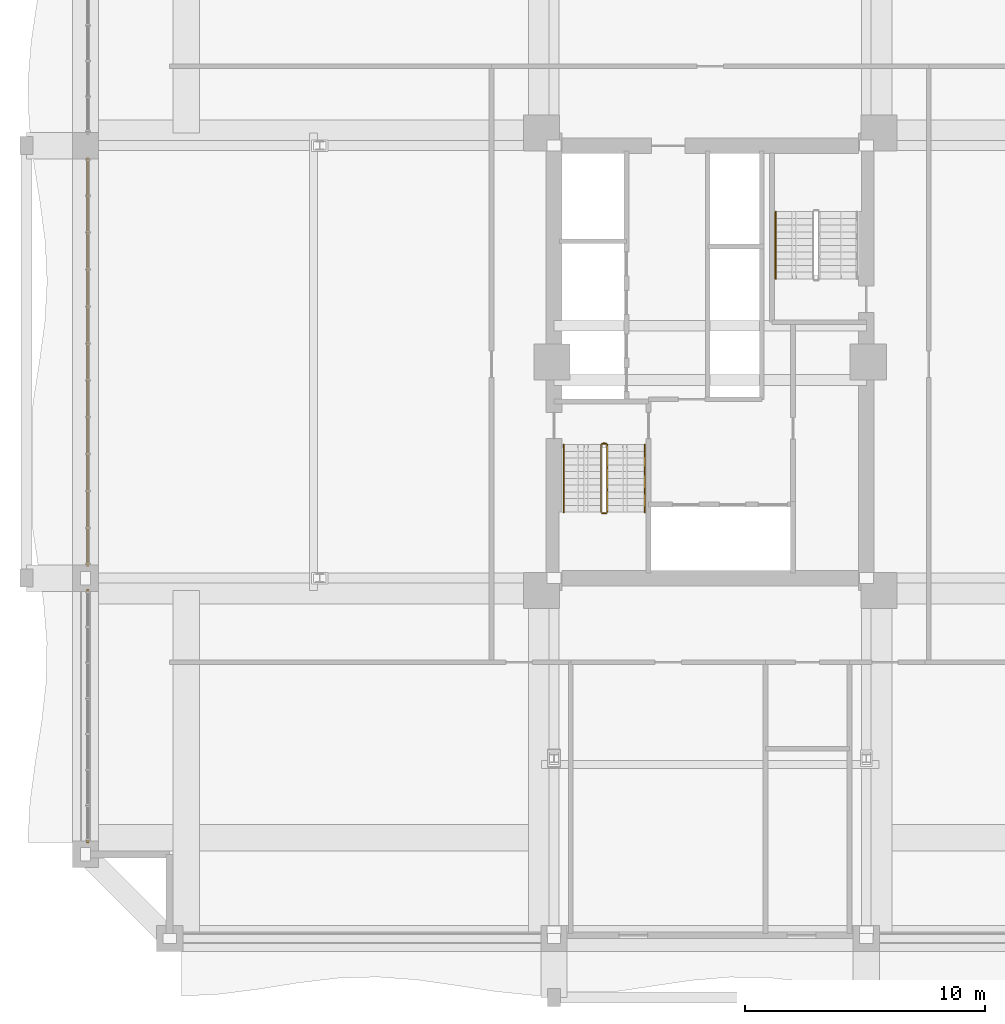
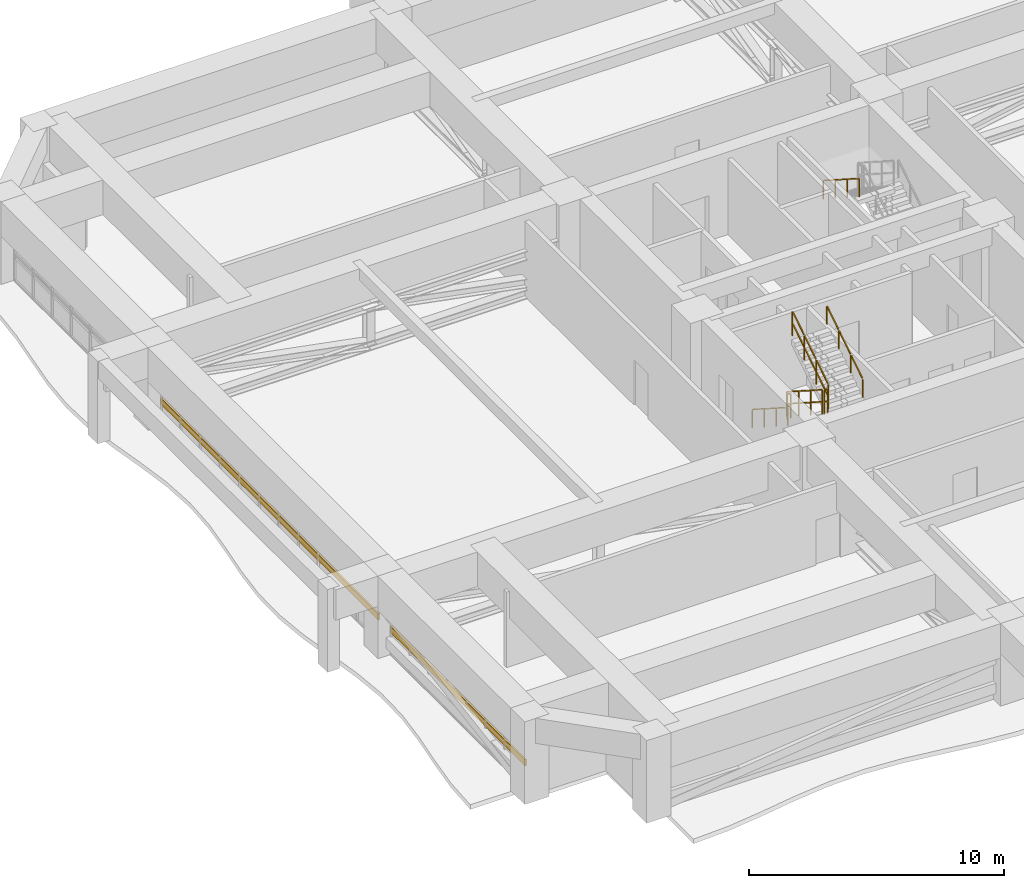
# One storey, part 32 of 35: 7 railings, 2 shading devices.
"""IFC4 building model written with IfcOpenShell, lengths in metres."""

from ifc_helpers import new_model, si_unit, direction, frame, origin, origin_2d, place, context, subcontext, project, spatial, rectangle, extrude, source, transform, mapped, material, material_profile, profile_set, type_object, element, save


model = new_model("IFC4")

# Units and contexts
model_context = context("Model", 3, precision=1e-05, world=origin(), true_north=direction((0.0, 1.0)))
body_context = subcontext(model_context, "Body", "Model", "MODEL_VIEW")
ifc_project = project(units=[si_unit("LENGTHUNIT", "METRE"), si_unit("AREAUNIT", "SQUARE_METRE"), si_unit("VOLUMEUNIT", "CUBIC_METRE"), si_unit("PLANEANGLEUNIT", "RADIAN"), si_unit("MASSUNIT", "GRAM", prefix="KILO")], contexts=[model_context])

# Site, building, storey
site_placement = place(None, origin())
site = spatial("IfcSite", under=ifc_project, at=site_placement, CompositionType="ELEMENT")
building_placement = place(site_placement, origin())
building = spatial("IfcBuilding", under=site, at=building_placement, Name="Saelheon Loggia Tower", CompositionType="ELEMENT")
storey_placement = place(building_placement, frame((0.0, 0.0, 70.39990234375)))
storey = spatial("IfcBuildingStorey", under=building, at=storey_placement, Name="L22", CompositionType="ELEMENT", Elevation=70.39990234375)

# Railings
ifc_material_1 = material(Name="Galvanised Steel S275 Stairwell Guardrail", Category="steel")
railing_type_1 = type_object("IfcRailingType", Name="Guard_StairWell_RL_STG", PredefinedType="GUARDRAIL", material=ifc_material_1)
railing_1_placement = place(storey_placement, frame((33.4599609375, 23.550048828125, 0.1796875)))
element("IfcRailing", 1, at=railing_1_placement, inside=storey, type_object=railing_type_1, Name="L22 ST1 stair guard 1", PredefinedType="GUARDRAIL", context=body_context, shape_type="SweptSolid", body=[
    extrude(rectangle(XDim=0.048095703125, YDim=0.048095703125, at=origin_2d()), frame((0.0, -0.028076171875, 1.19384765625), z_axis=(0.0, -0.841809871826, 0.539774156196), x_axis=(1.0, 0.0, 0.0)), (0.0, 0.0, 1.0), 1.042236328125),
    extrude(rectangle(XDim=0.048095703125, YDim=0.048095703125, at=origin_2d()), frame((0.0, -0.028076171875, 0.617919921875), z_axis=(0.0, -0.841809871826, 0.539774156196), x_axis=(1.0, 0.0, 0.0)), (0.0, 0.0, 1.0), 1.042236328125),
    extrude(rectangle(XDim=0.048095703125, YDim=0.048095703125, at=origin_2d()), frame((0.0, -0.96142578125, 1.792236328125), z_axis=(0.0, -0.841809871826, 0.539774156196), x_axis=(1.0, 0.0, 0.0)), (0.0, 0.0, 1.0), 1.042236328125),
    extrude(rectangle(XDim=0.048095703125, YDim=0.048095703125, at=origin_2d()), frame((0.0, -0.96142578125, 1.21630859375), z_axis=(0.0, -0.841809871826, 0.539774156196), x_axis=(1.0, 0.0, 0.0)), (0.0, 0.0, 1.0), 1.042236328125),
    extrude(rectangle(XDim=0.048095703125, YDim=0.048095703125, at=origin_2d()), frame((0.0, -1.894775390625, 2.390869140625), z_axis=(0.0, -0.841809871826, 0.539774156196), x_axis=(1.0, 0.0, 0.0)), (0.0, 0.0, 1.0), 1.042236328125),
    extrude(rectangle(XDim=0.048095703125, YDim=0.048095703125, at=origin_2d()), frame((0.0, -1.894775390625, 1.81494140625), z_axis=(0.0, -0.841809871826, 0.539774156196), x_axis=(1.0, 0.0, 0.0)), (0.0, 0.0, 1.0), 1.042236328125),
    extrude(rectangle(XDim=0.0419921875, YDim=0.0419921875, at=origin_2d()), origin(), (0.0, 0.0, 1.0), 1.14794921875),
    extrude(rectangle(XDim=0.0419921875, YDim=0.0419921875, at=origin_2d()), frame((0.0, -0.933349609375, 0.598388671875)), (0.0, 0.0, 1.0), 1.14794921875),
    extrude(rectangle(XDim=0.0419921875, YDim=0.0419921875, at=origin_2d()), frame((0.0, -1.86669921875, 1.197021484375)), (0.0, 0.0, 1.0), 1.14794921875),
    extrude(rectangle(XDim=0.0419921875, YDim=0.0419921875, at=origin_2d()), frame((0.0, -2.800048828125, 1.79541015625)), (0.0, 0.0, 1.0), 1.14794921875),
])
railing_2_placement = place(storey_placement, frame((33.510009765625, 20.699951171875, 1.97509765625)))
element("IfcRailing", 2, at=railing_2_placement, inside=storey, type_object=railing_type_1, Name="L22 ST1 stair guard 2", PredefinedType="GUARDRAIL", context=body_context, shape_type="SweptSolid", body=[
    extrude(rectangle(XDim=0.048095703125, YDim=0.048095703125, at=origin_2d()), frame((0.033203125, 0.0, 1.17578125), z_axis=(1.0, 0.0, 0.0), x_axis=(0.0, 1.0, 0.0)), (0.0, 0.0, 1.0), 0.093505859375),
    extrude(rectangle(XDim=0.048095703125, YDim=0.048095703125, at=origin_2d()), frame((0.033203125, 0.0, 0.60009765625), z_axis=(1.0, 0.0, 0.0), x_axis=(0.0, 1.0, 0.0)), (0.0, 0.0, 1.0), 0.093505859375),
    extrude(rectangle(XDim=0.0419921875, YDim=0.0419921875, at=origin_2d()), origin(), (0.0, 0.0, 1.0), 1.14794921875),
    extrude(rectangle(XDim=0.0419921875, YDim=0.0419921875, at=origin_2d()), frame((0.159912109375, 0.0, 0.0)), (0.0, 0.0, 1.0), 1.14794921875),
])
railing_3_placement = place(storey_placement, frame((33.719970703125, 20.75, 2.154541015625)))
element("IfcRailing", 3, at=railing_3_placement, inside=storey, type_object=railing_type_1, Name="L22 ST1 stair guard 3", PredefinedType="GUARDRAIL", context=body_context, shape_type="SweptSolid", body=[
    extrude(rectangle(XDim=0.048095703125, YDim=0.048095703125, at=origin_2d()), frame((0.0, 0.028076171875, 1.19384765625), z_axis=(0.0, 0.841776520102, 0.539826166654), x_axis=(-1.0, 0.0, 0.0)), (0.0, 0.0, 1.0), 1.042236328125),
    extrude(rectangle(XDim=0.048095703125, YDim=0.048095703125, at=origin_2d()), frame((0.0, 0.028076171875, 0.617919921875), z_axis=(0.0, 0.841776520102, 0.539826166654), x_axis=(-1.0, 0.0, 0.0)), (0.0, 0.0, 1.0), 1.042236328125),
    extrude(rectangle(XDim=0.048095703125, YDim=0.048095703125, at=origin_2d()), frame((0.0, 0.96142578125, 1.79248046875), z_axis=(0.0, 0.841776520102, 0.539826166654), x_axis=(-1.0, 0.0, 0.0)), (0.0, 0.0, 1.0), 1.042236328125),
    extrude(rectangle(XDim=0.048095703125, YDim=0.048095703125, at=origin_2d()), frame((0.0, 0.96142578125, 1.216552734375), z_axis=(0.0, 0.841776520102, 0.539826166654), x_axis=(-1.0, 0.0, 0.0)), (0.0, 0.0, 1.0), 1.042236328125),
    extrude(rectangle(XDim=0.048095703125, YDim=0.048095703125, at=origin_2d()), frame((0.0, 1.894775390625, 2.390869140625), z_axis=(0.0, 0.841776520102, 0.539826166654), x_axis=(-1.0, 0.0, 0.0)), (0.0, 0.0, 1.0), 1.042236328125),
    extrude(rectangle(XDim=0.048095703125, YDim=0.048095703125, at=origin_2d()), frame((0.0, 1.894775390625, 1.81494140625), z_axis=(0.0, 0.841776520102, 0.539826166654), x_axis=(-1.0, 0.0, 0.0)), (0.0, 0.0, 1.0), 1.042236328125),
    extrude(rectangle(XDim=0.0419921875, YDim=0.0419921875, at=origin_2d()), origin(), (0.0, 0.0, 1.0), 1.14794921875),
    extrude(rectangle(XDim=0.0419921875, YDim=0.0419921875, at=origin_2d()), frame((0.0, 0.933349609375, 0.5986328125)), (0.0, 0.0, 1.0), 1.14794921875),
    extrude(rectangle(XDim=0.0419921875, YDim=0.0419921875, at=origin_2d()), frame((0.0, 1.86669921875, 1.197021484375)), (0.0, 0.0, 1.0), 1.14794921875),
    extrude(rectangle(XDim=0.0419921875, YDim=0.0419921875, at=origin_2d()), frame((0.0, 2.800048828125, 1.795654296875)), (0.0, 0.0, 1.0), 1.14794921875),
])
railing_4_placement = place(storey_placement, frame((33.510009765625, 23.60009765625, 0.0)))
element("IfcRailing", 4, at=railing_4_placement, inside=storey, type_object=railing_type_1, Name="L22 ST1 stair guard 4", PredefinedType="GUARDRAIL", context=body_context, shape_type="SweptSolid", body=[
    extrude(rectangle(XDim=0.048095703125, YDim=0.048095703125, at=origin_2d()), frame((0.033203125, 0.0, 1.17578125), z_axis=(1.0, 0.0, 0.0), x_axis=(0.0, 1.0, 0.0)), (0.0, 0.0, 1.0), 0.093505859375),
    extrude(rectangle(XDim=0.048095703125, YDim=0.048095703125, at=origin_2d()), frame((0.033203125, 0.0, 0.60009765625), z_axis=(1.0, 0.0, 0.0), x_axis=(0.0, 1.0, 0.0)), (0.0, 0.0, 1.0), 0.093505859375),
    extrude(rectangle(XDim=0.0419921875, YDim=0.0419921875, at=origin_2d()), origin(), (0.0, 0.0, 1.0), 1.14794921875),
    extrude(rectangle(XDim=0.0419921875, YDim=0.0419921875, at=origin_2d()), frame((0.159912109375, 0.0, 0.0)), (0.0, 0.0, 1.0), 1.14794921875),
])
ifc_material_2 = material(Name="Stainless Steel 304 Tubular Handrail", Category="steel")
railing_type_2 = type_object("IfcRailingType", Name="Handrail_Stair_RL_HR1", PredefinedType="HANDRAIL", material=ifc_material_2)
railing_5_placement = place(storey_placement, frame((31.89990234375, 23.550048828125, 0.1796875)))
element("IfcRailing", 5, at=railing_5_placement, inside=storey, type_object=railing_type_2, Name="L22 ST1 stair handrail 1", PredefinedType="HANDRAIL", context=body_context, shape_type="SweptSolid", body=[
    extrude(rectangle(XDim=0.048095703125, YDim=0.048095703125, at=origin_2d()), frame((0.0, -0.028076171875, 0.893798828125), z_axis=(0.0, -0.841809871826, 0.539774156196), x_axis=(1.0, 0.0, 0.0)), (0.0, 0.0, 1.0), 1.042236328125),
    extrude(rectangle(XDim=0.048095703125, YDim=0.048095703125, at=origin_2d()), frame((0.0, -0.96142578125, 1.4921875), z_axis=(0.0, -0.841809871826, 0.539774156196), x_axis=(1.0, 0.0, 0.0)), (0.0, 0.0, 1.0), 1.042236328125),
    extrude(rectangle(XDim=0.048095703125, YDim=0.048095703125, at=origin_2d()), frame((0.0, -1.894775390625, 2.0908203125), z_axis=(0.0, -0.841809871826, 0.539774156196), x_axis=(1.0, 0.0, 0.0)), (0.0, 0.0, 1.0), 1.042236328125),
    extrude(rectangle(XDim=0.0419921875, YDim=0.0419921875, at=origin_2d()), origin(), (0.0, 0.0, 1.0), 0.847900390625),
    extrude(rectangle(XDim=0.0419921875, YDim=0.0419921875, at=origin_2d()), frame((0.0, -0.933349609375, 0.598388671875)), (0.0, 0.0, 1.0), 0.847900390625),
    extrude(rectangle(XDim=0.0419921875, YDim=0.0419921875, at=origin_2d()), frame((0.0, -1.86669921875, 1.197021484375)), (0.0, 0.0, 1.0), 0.847900390625),
    extrude(rectangle(XDim=0.0419921875, YDim=0.0419921875, at=origin_2d()), frame((0.0, -2.800048828125, 1.79541015625)), (0.0, 0.0, 1.0), 0.847900390625),
])
railing_6_placement = place(storey_placement, frame((35.280029296875, 20.75, 2.154541015625)))
element("IfcRailing", 6, at=railing_6_placement, inside=storey, type_object=railing_type_2, Name="L22 ST1 stair handrail 2", PredefinedType="HANDRAIL", context=body_context, shape_type="SweptSolid", body=[
    extrude(rectangle(XDim=0.048095703125, YDim=0.048095703125, at=origin_2d()), frame((0.0, 0.028076171875, 0.893798828125), z_axis=(0.0, 0.841776520102, 0.539826166654), x_axis=(-1.0, 0.0, 0.0)), (0.0, 0.0, 1.0), 1.042236328125),
    extrude(rectangle(XDim=0.048095703125, YDim=0.048095703125, at=origin_2d()), frame((0.0, 0.96142578125, 1.492431640625), z_axis=(0.0, 0.841776520102, 0.539826166654), x_axis=(-1.0, 0.0, 0.0)), (0.0, 0.0, 1.0), 1.042236328125),
    extrude(rectangle(XDim=0.048095703125, YDim=0.048095703125, at=origin_2d()), frame((0.0, 1.894775390625, 2.0908203125), z_axis=(0.0, 0.841776520102, 0.539826166654), x_axis=(-1.0, 0.0, 0.0)), (0.0, 0.0, 1.0), 1.042236328125),
    extrude(rectangle(XDim=0.0419921875, YDim=0.0419921875, at=origin_2d()), origin(), (0.0, 0.0, 1.0), 0.847900390625),
    extrude(rectangle(XDim=0.0419921875, YDim=0.0419921875, at=origin_2d()), frame((0.0, 0.933349609375, 0.5986328125)), (0.0, 0.0, 1.0), 0.847900390625),
    extrude(rectangle(XDim=0.0419921875, YDim=0.0419921875, at=origin_2d()), frame((0.0, 1.86669921875, 1.197021484375)), (0.0, 0.0, 1.0), 0.847900390625),
    extrude(rectangle(XDim=0.0419921875, YDim=0.0419921875, at=origin_2d()), frame((0.0, 2.800048828125, 1.795654296875)), (0.0, 0.0, 1.0), 0.847900390625),
])
railing_7_placement = place(storey_placement, frame((40.719970703125, 33.25, 2.154541015625)))
element("IfcRailing", 7, at=railing_7_placement, inside=storey, type_object=railing_type_2, Name="L22 ST2 stair handrail 2", PredefinedType="HANDRAIL", context=body_context, shape_type="SweptSolid", body=[
    extrude(rectangle(XDim=0.048095703125, YDim=0.048095703125, at=origin_2d()), frame((0.0, -0.028076171875, 0.893798828125), z_axis=(0.0, -0.841776520102, 0.539826166654), x_axis=(1.0, 0.0, 0.0)), (0.0, 0.0, 1.0), 1.042236328125),
    extrude(rectangle(XDim=0.048095703125, YDim=0.048095703125, at=origin_2d()), frame((0.0, -0.96142578125, 1.492431640625), z_axis=(0.0, -0.841776520102, 0.539826166654), x_axis=(1.0, 0.0, 0.0)), (0.0, 0.0, 1.0), 1.042236328125),
    extrude(rectangle(XDim=0.048095703125, YDim=0.048095703125, at=origin_2d()), frame((0.0, -1.894775390625, 2.0908203125), z_axis=(0.0, -0.841776520102, 0.539826166654), x_axis=(1.0, 0.0, 0.0)), (0.0, 0.0, 1.0), 1.042236328125),
    extrude(rectangle(XDim=0.0419921875, YDim=0.0419921875, at=origin_2d()), origin(), (0.0, 0.0, 1.0), 0.847900390625),
    extrude(rectangle(XDim=0.0419921875, YDim=0.0419921875, at=origin_2d()), frame((0.0, -0.933349609375, 0.5986328125)), (0.0, 0.0, 1.0), 0.847900390625),
    extrude(rectangle(XDim=0.0419921875, YDim=0.0419921875, at=origin_2d()), frame((0.0, -1.86669921875, 1.197021484375)), (0.0, 0.0, 1.0), 0.847900390625),
    extrude(rectangle(XDim=0.0419921875, YDim=0.0419921875, at=origin_2d()), frame((0.0, -2.800048828125, 1.795654296875)), (0.0, 0.0, 1.0), 0.847900390625),
])

# Shading devices
ifc_material_3 = material(Name="Bronze-Anodised Aluminium 6063-T6", Category="aluminium")
ifc_material_profile = material_profile(ifc_material_3, rectangle(XDim=0.080078125, YDim=0.300048828125, at=origin_2d()), Name="Louvre_Refuge_LV_RF1")
ifc_profile_set = profile_set([ifc_material_profile], Name="Bronze-Anodised Aluminium 6063-T6")
shading_device_type = type_object("IfcShadingDeviceType", Name="Louvre_Refuge_LV_RF1", PredefinedType="JALOUSIE", material=ifc_profile_set)
shared_shape_1 = source(origin(), body_context, "Body", "SweptSolid", [
    extrude(rectangle(XDim=0.080078125, YDim=0.300048828125, at=origin_2d()), origin(), (0.0, 0.0, 1.0), 10.5400390625),
])
shading_device_1_placement = place(storey_placement, frame((12.10009765625, 6.97998046875, 1.150146484375), z_axis=(0.0, 1.0, 0.0), x_axis=(-1.0, 0.0, 0.0)))
element("IfcShadingDevice", 8, at=shading_device_1_placement, inside=storey, type_object=shading_device_type, Name="L22 Refuge Acoustic Louvre Blade", PredefinedType="JALOUSIE", context=body_context, shape_type="MappedRepresentation", body=[
    mapped(shared_shape_1, transform((0.0, 0.0, 0.0), scale=1.0)),
])
shared_shape_2 = source(origin(), body_context, "Body", "SweptSolid", [
    extrude(rectangle(XDim=0.080078125, YDim=0.300048828125, at=origin_2d()), origin(), (0.0, 0.0, 1.0), 17.0400390625),
])
shading_device_2_placement = place(storey_placement, frame((12.10009765625, 18.47998046875, 1.150146484375), z_axis=(0.0, 1.0, 0.0), x_axis=(-1.0, 0.0, 0.0)))
element("IfcShadingDevice", 9, at=shading_device_2_placement, inside=storey, type_object=shading_device_type, Name="L22 Refuge Acoustic Louvre Blade", PredefinedType="JALOUSIE", context=body_context, shape_type="MappedRepresentation", body=[
    mapped(shared_shape_2, transform((0.0, 0.0, 0.0), scale=1.0)),
])

save(model, "model.ifc")
